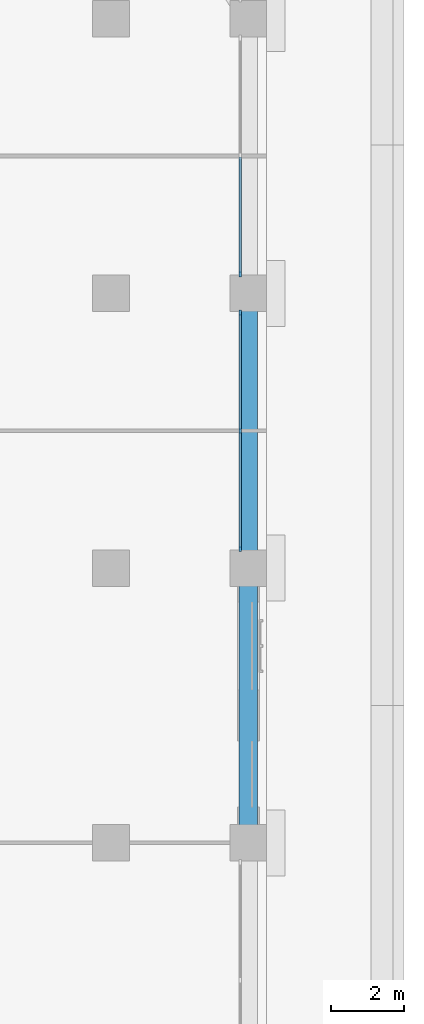
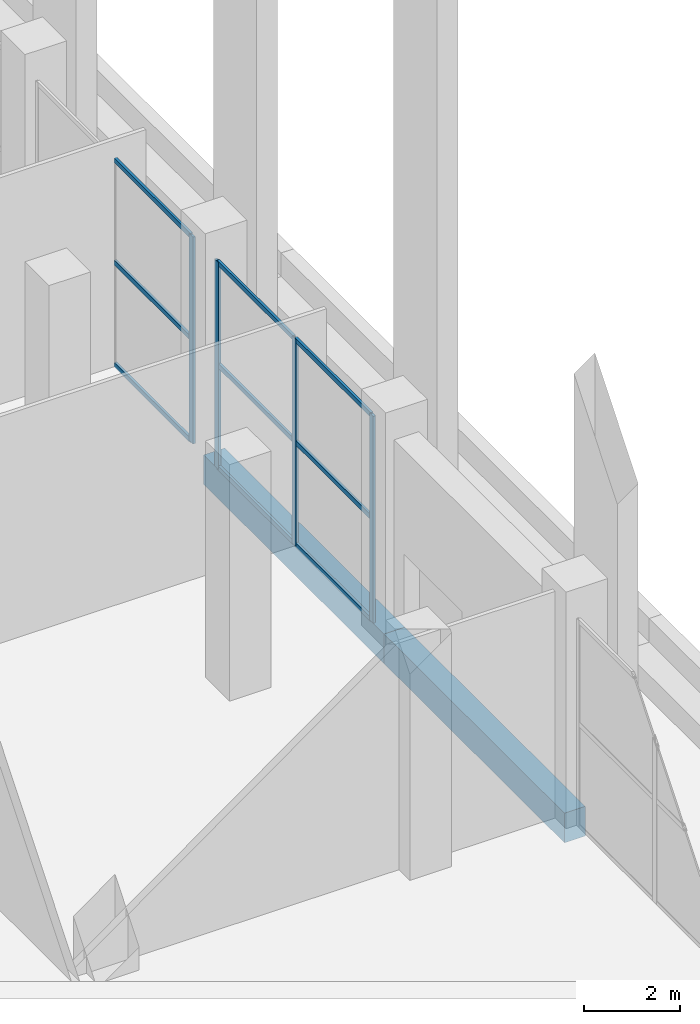
# One storey, part 8 of 23: 13 members, 2 beams, 2 elements without a shape of their own.
"""IFC4 building model written with IfcOpenShell, lengths in metres."""

import ifcopenshell
import ifcopenshell.guid

model = None  # the IFC model being written
_history = None  # IfcOwnerHistory: only IFC2X3 demands one
_inside = {}  # id of a spatial element -> (the spatial element, [elements in it])
_under = {}  # id of a project, library or spatial element -> (it, [spatial elements below it])
_declared = {}  # id of a project -> (the project, [libraries it declares])
_typed = {}  # id of a type object -> (the type object, [elements of that type])
_made_of = {}  # id of a material, layer set ... -> (it, [elements and type objects made of it])


def new_model(schema):
    """Start an empty IFC model of exactly this schema.

    Asked for "IFC4X3", IfcOpenShell would pick the latest addendum, in which some entities
    have other attributes; the version numbers below select the first issue.
    IFC2X3 requires an IfcOwnerHistory on every rooted entity: one is made here for all.
    """
    global model, _history
    if schema == "IFC4X3":
        model = ifcopenshell.file(schema_version=(4, 3, 0, 0))
    else:
        model = ifcopenshell.file(schema=schema)
    _inside.clear()
    _under.clear()
    _declared.clear()
    _typed.clear()
    _made_of.clear()
    _history = None
    if model.schema == "IFC2X3":
        org = make("IfcOrganization", Name="unknown")
        user = make(
            "IfcPersonAndOrganization",
            ThePerson=make("IfcPerson", FamilyName="unknown"),
            TheOrganization=org,
        )
        app = make(
            "IfcApplication",
            ApplicationDeveloper=org,
            Version="unknown",
            ApplicationFullName="unknown",
            ApplicationIdentifier="unknown",
        )
        _history = make(
            "IfcOwnerHistory",
            OwningUser=user,
            OwningApplication=app,
            ChangeAction="ADDED",
            CreationDate=0,
        )
    return model


def make(cls, **values):
    """One entity of the class cls with the attributes given. An attribute that is None is left unset."""
    return model.create_entity(
        cls, **{name: value for name, value in values.items() if value is not None}
    )


def rooted(cls, **values):
    """An entity with a GlobalId (a new one), such as an element, a storey or a relation."""
    return make(cls, GlobalId=ifcopenshell.guid.new(), OwnerHistory=_history, **values)


def si_unit(unit_type, name, prefix=None):
    """IfcSIUnit, for example si_unit("LENGTHUNIT", "METRE", prefix="MILLI")."""
    return make("IfcSIUnit", UnitType=unit_type, Prefix=prefix, Name=name)


def assignment(units):
    """IfcUnitAssignment: the units of a project."""
    return None if units is None else make("IfcUnitAssignment", Units=units)


def point(xyz):
    """IfcCartesianPoint."""
    return None if xyz is None else make("IfcCartesianPoint", Coordinates=xyz)


def direction(xyz):
    """IfcDirection."""
    return None if xyz is None else make("IfcDirection", DirectionRatios=xyz)


def frame(location, z_axis=None, x_axis=None):
    """IfcAxis2Placement3D, a coordinate frame: its origin and axes. An axis left out is left unset."""
    return make(
        "IfcAxis2Placement3D",
        Location=point(location),
        Axis=direction(z_axis),
        RefDirection=direction(x_axis),
    )


def frame_2d(location, x_axis=None):
    """IfcAxis2Placement2D, a coordinate frame in the plane: its origin and x axis."""
    return make(
        "IfcAxis2Placement2D", Location=point(location), RefDirection=direction(x_axis)
    )


def origin():
    """The frame at (0, 0, 0) with its axes left unset."""
    return frame((0.0, 0.0, 0.0))


def origin_2d():
    """The frame at (0, 0) in the plane with its x axis left unset."""
    return frame_2d((0.0, 0.0))


def place(relative_to, where):
    """IfcLocalPlacement: puts the frame where relative to a parent placement (None: the world)."""
    return make(
        "IfcLocalPlacement", PlacementRelTo=relative_to, RelativePlacement=where
    )


def context(
    kind, dimensions, precision=None, world=None, true_north=None, identifier=None
):
    """IfcGeometricRepresentationContext, for example the 3D "Model" context."""
    return make(
        "IfcGeometricRepresentationContext",
        ContextIdentifier=identifier,
        ContextType=kind,
        CoordinateSpaceDimension=dimensions,
        Precision=precision,
        WorldCoordinateSystem=world,
        TrueNorth=true_north,
    )


def subcontext(parent, identifier, kind, view, scale=None):
    """IfcGeometricRepresentationSubContext, for example "Body" below "Model"."""
    return make(
        "IfcGeometricRepresentationSubContext",
        ContextIdentifier=identifier,
        ContextType=kind,
        ParentContext=parent,
        TargetScale=scale,
        TargetView=view,
    )


def project(units=None, contexts=None):
    """IfcProject with its units and contexts."""
    return rooted(
        "IfcProject",
        Name="project",
        RepresentationContexts=contexts,
        UnitsInContext=assignment(units),
    )


def spatial(cls, under=None, at=None, **own):
    """A site, building, storey or space (cls), placed at a placement, below another one or the project."""
    s = rooted(cls, ObjectPlacement=at, **own)
    if under is not None:
        _under.setdefault(under.id(), (under, []))[1].append(s)
    return s


def profile(cls, at=None, kind="AREA", **sizes):
    """A parametric profile (cls). Its sizes go by their IFC names, for example OverallWidth=200.0."""
    return make(cls, ProfileType=kind, Position=at, **sizes)


def rectangle(**sizes):
    """IfcRectangleProfileDef."""
    return profile("IfcRectangleProfileDef", **sizes)


def extrude(swept, where, along, depth):
    """IfcExtrudedAreaSolid: the profile swept, set in the frame where, extruded along a direction by depth."""
    return make(
        "IfcExtrudedAreaSolid",
        SweptArea=swept,
        Position=where,
        ExtrudedDirection=direction(along),
        Depth=depth,
    )


def shape(context_of_items, identifier, shape_type, items):
    """IfcShapeRepresentation: the items that make up one representation, for example the "Body"."""
    return make(
        "IfcShapeRepresentation",
        ContextOfItems=context_of_items,
        RepresentationIdentifier=identifier,
        RepresentationType=shape_type,
        Items=items,
    )


def material(Name=None, Category=None):
    """IfcMaterial."""
    return make("IfcMaterial", Name=Name, Category=Category)


def layer(
    of_material, thickness, ventilated=None, Name=None, Category=None, Priority=None
):
    """IfcMaterialLayer: one layer of a wall or slab, of a material (None: an air gap)."""
    return make(
        "IfcMaterialLayer",
        Material=of_material,
        LayerThickness=thickness,
        IsVentilated=ventilated,
        Name=Name,
        Category=Category,
        Priority=Priority,
    )


def layer_set(layers, Name=None):
    """IfcMaterialLayerSet."""
    return make("IfcMaterialLayerSet", MaterialLayers=layers, LayerSetName=Name)


def material_profile(
    of_material, cross_section, Name=None, Category=None, Priority=None
):
    """IfcMaterialProfile: a cross section and its material."""
    return make(
        "IfcMaterialProfile",
        Name=Name,
        Material=of_material,
        Profile=cross_section,
        Priority=Priority,
        Category=Category,
    )


def profile_set(profiles, Name=None, composite=None):
    """IfcMaterialProfileSet."""
    return make(
        "IfcMaterialProfileSet",
        Name=Name,
        MaterialProfiles=profiles,
        CompositeProfile=composite,
    )


def made_of(thing, what):
    """Note that an element or type object is made of a material, layer set ...; save() writes the relation."""
    if what is not None:
        _made_of.setdefault(what.id(), (what, []))[1].append(thing)
    return thing


def type_object(cls, material=None, **own):
    """A type object (cls), such as IfcWallType, which elements share."""
    return made_of(rooted(cls, **own), material)


def element(
    cls,
    number,
    at=None,
    inside=None,
    cuts=None,
    type_object=None,
    material=None,
    context=None,
    identifier="Body",
    shape_type=None,
    held_by="IfcProductDefinitionShape",
    body=None,
    shapes=None,
    **own,
):
    """One element of the class cls, such as IfcWall. Its Tag is "e" and its number.

    at: its placement. inside: the storey or other place that contains it. cuts: it is an
    opening in that element (IfcRelVoidsElement). A single representation is given by context,
    identifier, shape_type and body (its items); several are given by shapes. held_by: the class
    of the entity that holds the representations. save() writes the other relations.
    """
    e = rooted(cls, Tag="e%d" % number, ObjectPlacement=at, **own)
    if body is not None:
        shapes = [shape(context, identifier, shape_type, body)]
    if shapes is not None:
        e.Representation = make(held_by, Representations=shapes)
    if inside is not None:
        _inside.setdefault(inside.id(), (inside, []))[1].append(e)
    if cuts is not None:
        rooted(
            "IfcRelVoidsElement", RelatingBuildingElement=cuts, RelatedOpeningElement=e
        )
    if type_object is not None:
        _typed.setdefault(type_object.id(), (type_object, []))[1].append(e)
    return made_of(e, material)


def aggregate(whole, parts):
    """IfcRelAggregates: a whole, such as a stair, and the parts it consists of."""
    return rooted("IfcRelAggregates", RelatingObject=whole, RelatedObjects=parts)


def save(model, path):
    """Write the relations noted so far, then the file.

    IfcRelAggregates (storeys below a building ...), IfcRelContainedInSpatialStructure (elements
    in a storey), IfcRelDefinesByType, IfcRelAssociatesMaterial and IfcRelDeclares: one each for
    every whole, place, type object, material and project.
    """
    for whole, parts in _under.values():
        aggregate(whole, parts)
    for where, things in _inside.values():
        rooted(
            "IfcRelContainedInSpatialStructure",
            RelatedElements=things,
            RelatingStructure=where,
        )
    for kind, things in _typed.values():
        rooted("IfcRelDefinesByType", RelatedObjects=things, RelatingType=kind)
    for what, things in _made_of.values():
        rooted("IfcRelAssociatesMaterial", RelatedObjects=things, RelatingMaterial=what)
    for by, libraries in _declared.values():
        rooted("IfcRelDeclares", RelatingContext=by, RelatedDefinitions=libraries)
    model.write(path)


model = new_model("IFC4")

# Units and contexts
model_context = context("Model", 3, precision=1e-05, world=origin(), true_north=direction((0.0, 1.0)))
body_context = subcontext(model_context, "Body", "Model", "MODEL_VIEW")
ifc_project = project(units=[si_unit("LENGTHUNIT", "METRE"), si_unit("AREAUNIT", "SQUARE_METRE"), si_unit("VOLUMEUNIT", "CUBIC_METRE"), si_unit("PLANEANGLEUNIT", "RADIAN"), si_unit("MASSUNIT", "GRAM", prefix="KILO")], contexts=[model_context])

# Site, building, storey
site_placement = place(None, origin())
site = spatial("IfcSite", under=ifc_project, at=site_placement, CompositionType="ELEMENT")
building_placement = place(site_placement, origin())
building = spatial("IfcBuilding", under=site, at=building_placement, Name="Tamorin Gate", CompositionType="ELEMENT")
storey_placement = place(building_placement, frame((0.0, 0.0, 124.199951171875)))
storey = spatial("IfcBuildingStorey", under=building, at=storey_placement, Name="L30", CompositionType="ELEMENT", Elevation=124.199951171875)

# Curtain wall, members
ifc_material_1 = material(Name="Aluminium mullions and transoms with clear glass", Category="aluminium")
ifc_layer = layer(ifc_material_1, 0.159912109375)
ifc_layer_set = layer_set([ifc_layer], Name="Curtain wall system CW1")
curtain_wall_type = type_object("IfcCurtainWallType", Name="Curtain wall system CW1", PredefinedType="NOTDEFINED", material=ifc_layer_set)
curtain_wall_1_placement = place(storey_placement, origin())
curtain_wall_1 = element("IfcCurtainWall", 1, at=curtain_wall_1_placement, inside=storey, type_object=curtain_wall_type, Name="Curtain wall", PredefinedType="NOTDEFINED")
ifc_material_2 = material(Name="Aluminium", Category="aluminium")
ifc_material_profile_1 = material_profile(ifc_material_2, rectangle(XDim=0.06005859375, YDim=0.159912109375, at=origin_2d()), Name="RECT 60x160")
ifc_profile_set_1 = profile_set([ifc_material_profile_1], Name="Aluminium")
member_type_1 = type_object("IfcMemberType", Name="Aluminium mullion 60x160", PredefinedType="MULLION", material=ifc_profile_set_1)
member_1_placement = place(storey_placement, frame((85.530029296875, 75.530029296875, 0.0), z_axis=(0.0, 0.0, 1.0), x_axis=(-1.0, 0.0, 0.0)))
member_1 = element("IfcMember", 2, at=member_1_placement, type_object=member_type_1, Name="CW1 mullion 1", PredefinedType="MULLION", context=body_context, shape_type="SweptSolid", body=[
    extrude(rectangle(XDim=0.06005859375, YDim=0.159912109375, at=origin_2d()), origin(), (0.0, 0.0, 1.0), 5.25),
])
member_2_placement = place(storey_placement, frame((85.530029296875, 78.75, 0.0), z_axis=(0.0, 0.0, 1.0), x_axis=(-1.0, 0.0, 0.0)))
member_2 = element("IfcMember", 3, at=member_2_placement, type_object=member_type_1, Name="CW1 mullion 2", PredefinedType="MULLION", context=body_context, shape_type="SweptSolid", body=[
    extrude(rectangle(XDim=0.06005859375, YDim=0.159912109375, at=origin_2d()), origin(), (0.0, 0.0, 1.0), 5.25),
])
member_3_placement = place(storey_placement, frame((85.530029296875, 81.969970703125, 0.0), z_axis=(0.0, 0.0, 1.0), x_axis=(-1.0, 0.0, 0.0)))
member_3 = element("IfcMember", 4, at=member_3_placement, type_object=member_type_1, Name="CW1 mullion 3", PredefinedType="MULLION", context=body_context, shape_type="SweptSolid", body=[
    extrude(rectangle(XDim=0.06005859375, YDim=0.159912109375, at=origin_2d()), origin(), (0.0, 0.0, 1.0), 5.25),
])

# Curtain wall, member
curtain_wall_2_placement = place(storey_placement, origin())
curtain_wall_2 = element("IfcCurtainWall", 5, at=curtain_wall_2_placement, inside=storey, type_object=curtain_wall_type, Name="Curtain wall", PredefinedType="NOTDEFINED")
member_4_placement = place(storey_placement, frame((85.530029296875, 83.030029296875, 0.0), z_axis=(0.0, 0.0, 1.0), x_axis=(-1.0, 0.0, 0.0)))
member_4 = element("IfcMember", 6, at=member_4_placement, type_object=member_type_1, Name="CW1 mullion 1", PredefinedType="MULLION", context=body_context, shape_type="SweptSolid", body=[
    extrude(rectangle(XDim=0.06005859375, YDim=0.159912109375, at=origin_2d()), origin(), (0.0, 0.0, 1.0), 5.25),
])

# Member
ifc_material_profile_2 = material_profile(ifc_material_2, rectangle(XDim=0.06005859375, YDim=0.1201171875, at=origin_2d()), Name="RECT 60x120")
ifc_profile_set_2 = profile_set([ifc_material_profile_2], Name="Aluminium")
member_type_2 = type_object("IfcMemberType", Name="Aluminium transom 60x120", PredefinedType="USERDEFINED", material=ifc_profile_set_2)
member_5_placement = place(storey_placement, frame((85.530029296875, 75.56005859375, 0.030029296875), z_axis=(0.0, 1.0, 0.0), x_axis=(-1.0, 0.0, 0.0)))
member_5 = element("IfcMember", 7, at=member_5_placement, type_object=member_type_2, Name="CW1 transom 1.1", ObjectType="TRANSOM", PredefinedType="USERDEFINED", context=body_context, shape_type="SweptSolid", body=[
    extrude(rectangle(XDim=0.06005859375, YDim=0.1201171875, at=origin_2d()), origin(), (0.0, 0.0, 1.0), 3.159912109375),
])

member_6_placement = place(storey_placement, frame((85.530029296875, 75.56005859375, 2.625), z_axis=(0.0, 1.0, 0.0), x_axis=(-1.0, 0.0, 0.0)))
member_6 = element("IfcMember", 8, at=member_6_placement, type_object=member_type_2, Name="CW1 transom 1.2", ObjectType="TRANSOM", PredefinedType="USERDEFINED", context=body_context, shape_type="SweptSolid", body=[
    extrude(rectangle(XDim=0.06005859375, YDim=0.1201171875, at=origin_2d()), origin(), (0.0, 0.0, 1.0), 3.159912109375),
])

member_7_placement = place(storey_placement, frame((85.530029296875, 75.56005859375, 5.219970703125), z_axis=(0.0, 1.0, 0.0), x_axis=(-1.0, 0.0, 0.0)))
member_7 = element("IfcMember", 9, at=member_7_placement, type_object=member_type_2, Name="CW1 transom 1.3", ObjectType="TRANSOM", PredefinedType="USERDEFINED", context=body_context, shape_type="SweptSolid", body=[
    extrude(rectangle(XDim=0.06005859375, YDim=0.1201171875, at=origin_2d()), origin(), (0.0, 0.0, 1.0), 3.159912109375),
])

member_8_placement = place(storey_placement, frame((85.530029296875, 78.780029296875, 0.030029296875), z_axis=(0.0, 1.0, 0.0), x_axis=(-1.0, 0.0, 0.0)))
member_8 = element("IfcMember", 10, at=member_8_placement, type_object=member_type_2, Name="CW1 transom 2.1", ObjectType="TRANSOM", PredefinedType="USERDEFINED", context=body_context, shape_type="SweptSolid", body=[
    extrude(rectangle(XDim=0.06005859375, YDim=0.1201171875, at=origin_2d()), origin(), (0.0, 0.0, 1.0), 3.159912109375),
])

member_9_placement = place(storey_placement, frame((85.530029296875, 78.780029296875, 2.625), z_axis=(0.0, 1.0, 0.0), x_axis=(-1.0, 0.0, 0.0)))
member_9 = element("IfcMember", 11, at=member_9_placement, type_object=member_type_2, Name="CW1 transom 2.2", ObjectType="TRANSOM", PredefinedType="USERDEFINED", context=body_context, shape_type="SweptSolid", body=[
    extrude(rectangle(XDim=0.06005859375, YDim=0.1201171875, at=origin_2d()), origin(), (0.0, 0.0, 1.0), 3.159912109375),
])

member_10_placement = place(storey_placement, frame((85.530029296875, 78.780029296875, 5.219970703125), z_axis=(0.0, 1.0, 0.0), x_axis=(-1.0, 0.0, 0.0)))
member_10 = element("IfcMember", 12, at=member_10_placement, type_object=member_type_2, Name="CW1 transom 2.3", ObjectType="TRANSOM", PredefinedType="USERDEFINED", context=body_context, shape_type="SweptSolid", body=[
    extrude(rectangle(XDim=0.06005859375, YDim=0.1201171875, at=origin_2d()), origin(), (0.0, 0.0, 1.0), 3.159912109375),
])

aggregate(curtain_wall_1, [member_1, member_2, member_3, member_5, member_6, member_7, member_8, member_9, member_10])

member_11_placement = place(storey_placement, frame((85.530029296875, 83.06005859375, 0.030029296875), z_axis=(0.0, 1.0, 0.0), x_axis=(-1.0, 0.0, 0.0)))
member_11 = element("IfcMember", 13, at=member_11_placement, type_object=member_type_2, Name="CW1 transom 1.1", ObjectType="TRANSOM", PredefinedType="USERDEFINED", context=body_context, shape_type="SweptSolid", body=[
    extrude(rectangle(XDim=0.06005859375, YDim=0.1201171875, at=origin_2d()), origin(), (0.0, 0.0, 1.0), 3.159912109375),
])

member_12_placement = place(storey_placement, frame((85.530029296875, 83.06005859375, 2.625), z_axis=(0.0, 1.0, 0.0), x_axis=(-1.0, 0.0, 0.0)))
member_12 = element("IfcMember", 14, at=member_12_placement, type_object=member_type_2, Name="CW1 transom 1.2", ObjectType="TRANSOM", PredefinedType="USERDEFINED", context=body_context, shape_type="SweptSolid", body=[
    extrude(rectangle(XDim=0.06005859375, YDim=0.1201171875, at=origin_2d()), origin(), (0.0, 0.0, 1.0), 3.159912109375),
])

member_13_placement = place(storey_placement, frame((85.530029296875, 83.06005859375, 5.219970703125), z_axis=(0.0, 1.0, 0.0), x_axis=(-1.0, 0.0, 0.0)))
member_13 = element("IfcMember", 15, at=member_13_placement, type_object=member_type_2, Name="CW1 transom 1.3", ObjectType="TRANSOM", PredefinedType="USERDEFINED", context=body_context, shape_type="SweptSolid", body=[
    extrude(rectangle(XDim=0.06005859375, YDim=0.1201171875, at=origin_2d()), origin(), (0.0, 0.0, 1.0), 3.159912109375),
])

aggregate(curtain_wall_2, [member_4, member_11, member_12, member_13])

# Beams
ifc_material_3 = material(Name="Concrete C50/60", Category="concrete")
ifc_material_profile_3 = material_profile(ifc_material_3, rectangle(XDim=0.5, YDim=0.75, at=origin_2d()), Name="RC 500x750")
ifc_profile_set_3 = profile_set([ifc_material_profile_3], Name="Concrete C50/60")
beam_type = type_object("IfcBeamType", Name="RC spandrel 500x750 C50/60", PredefinedType="BEAM", material=ifc_profile_set_3)
for number, where, z_axis, x_axis, name in (
    (16, (85.75, 67.5, -0.375), (0.0, 1.0, 0.0), (-1.0, 0.0, 0.0), "Spandrel beam L30"),
    (17, (85.75, 75.0, -0.375), (0.0, 1.0, 0.0), (-1.0, 0.0, 0.0), "Spandrel beam L30"),
):
    element("IfcBeam", number, at=place(storey_placement, frame(where, z_axis=z_axis, x_axis=x_axis)), inside=storey, type_object=beam_type, Name=name, PredefinedType="BEAM", context=body_context, shape_type="SweptSolid", body=[
        extrude(rectangle(XDim=0.5, YDim=0.75, at=origin_2d()), origin(), (0.0, 0.0, 1.0), 7.5),
    ])

save(model, "model.ifc")
